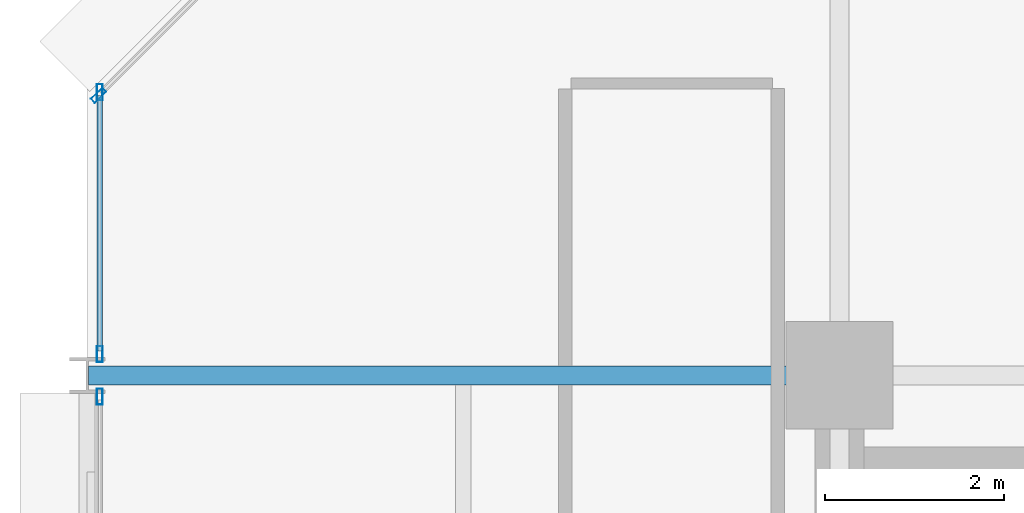
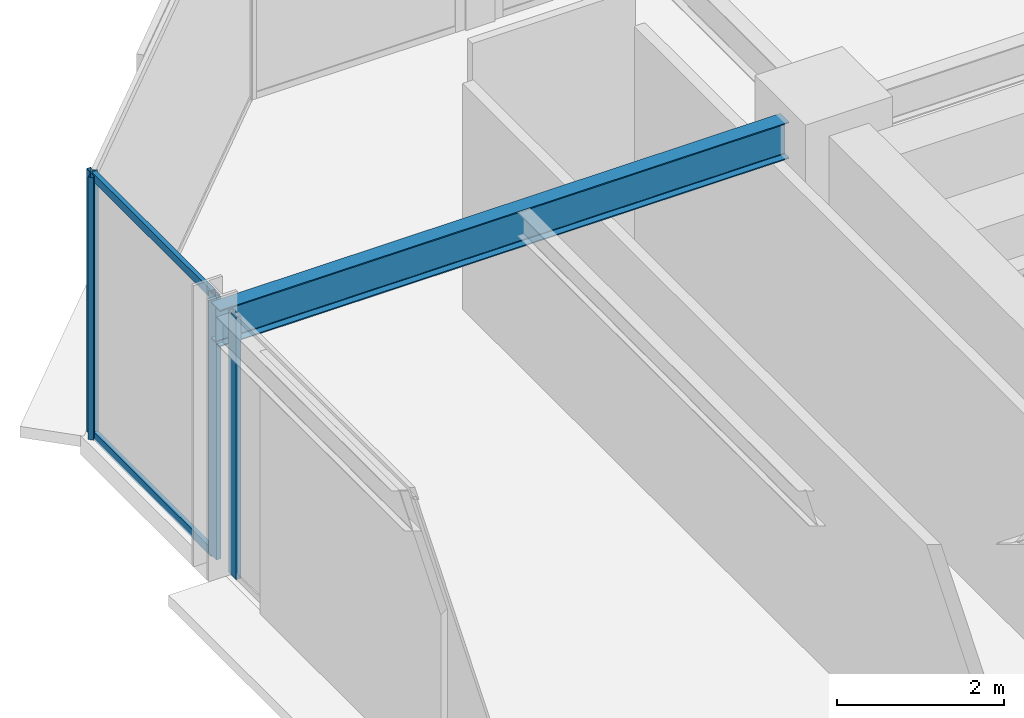
# One storey, part 25 of 39: 6 members, 1 beam, 3 elements without a shape of their own.
"""IFC4 building model written with IfcOpenShell, lengths in metres."""

from ifc_helpers import new_model, si_unit, direction, frame, origin, origin_2d, place, context, subcontext, project, spatial, hollow_rectangle, i_section, extrude, material, layer, layer_set, material_profile, profile_set, type_object, element, aggregate, save


model = new_model("IFC4")

# Units and contexts
model_context = context("Model", 3, precision=1e-05, world=origin(), true_north=direction((0.0, 1.0)))
body_context = subcontext(model_context, "Body", "Model", "MODEL_VIEW")
ifc_project = project(units=[si_unit("LENGTHUNIT", "METRE"), si_unit("AREAUNIT", "SQUARE_METRE"), si_unit("VOLUMEUNIT", "CUBIC_METRE"), si_unit("PLANEANGLEUNIT", "RADIAN"), si_unit("MASSUNIT", "GRAM", prefix="KILO")], contexts=[model_context])

# Site, building, storey
site_placement = place(None, origin())
site = spatial("IfcSite", under=ifc_project, at=site_placement, CompositionType="ELEMENT")
building_placement = place(site_placement, origin())
building = spatial("IfcBuilding", under=site, at=building_placement, Name="Nerrivon Quay Data Exchange", CompositionType="ELEMENT")
storey_placement = place(building_placement, frame((0.0, 0.0, 92.60009765625)))
storey = spatial("IfcBuildingStorey", under=building, at=storey_placement, Name="L21", CompositionType="ELEMENT", Elevation=92.60009765625)

# Beam
ifc_material_1 = material(Name="Steel Grade 350", Category="steel")
ifc_material_profile_1 = material_profile(ifc_material_1, i_section(OverallWidth=0.208984375, OverallDepth=0.532958984375, WebThickness=0.01025390625, FlangeThickness=0.015625, FilletRadius=0.013916015625, at=origin_2d()), Name="530UB92.4")
ifc_profile_set_1 = profile_set([ifc_material_profile_1], Name="Steel Grade 350")
beam_type = type_object("IfcBeamType", Name="BM-G3-530UB92", PredefinedType="BEAM", material=ifc_profile_set_1)
beam_placement = place(storey_placement, frame((0.012451171875, 42.0, 3.558349609375), z_axis=(1.0, 0.0, 0.0), x_axis=(0.0, 1.0, 0.0)))
element("IfcBeam", 1, at=beam_placement, inside=storey, type_object=beam_type, Name="L21 EW Girder Y=42.0 (0.0..8.4)", PredefinedType="BEAM", context=body_context, shape_type="SweptSolid", body=[
    extrude(i_section(OverallWidth=0.208984375, OverallDepth=0.532958984375, WebThickness=0.01025390625, FlangeThickness=0.015625, FilletRadius=0.013916015625, at=origin_2d()), origin(), (0.0, 0.0, 1.0), 7.84765625),
])

# Curtain wall, member
ifc_material_2 = material(Name="Anodised aluminium 6063-T6", Category="aluminium")
ifc_layer = layer(ifc_material_2, 0.2099609375)
ifc_layer_set = layer_set([ifc_layer], Name="Anodised aluminium 6063-T6")
curtain_wall_type = type_object("IfcCurtainWallType", Name="CW-SYS-02", PredefinedType="NOTDEFINED", material=ifc_layer_set)
curtain_wall_1_placement = place(storey_placement, origin())
curtain_wall_1 = element("IfcCurtainWall", 2, at=curtain_wall_1_placement, inside=storey, type_object=curtain_wall_type, Name="L21 Unitised Curtain Wall 21", PredefinedType="NOTDEFINED")
ifc_material_profile_2 = material_profile(ifc_material_2, hollow_rectangle(XDim=0.06494140625, YDim=0.179931640625, WallThickness=0.00341796875, at=origin_2d()), Name="ALU-MULL-180x65")
ifc_profile_set_2 = profile_set([ifc_material_profile_2], Name="Anodised aluminium 6063-T6")
member_type_1 = type_object("IfcMemberType", Name="CWM-180x65", PredefinedType="MULLION", material=ifc_profile_set_2)
member_1_placement = place(storey_placement, frame((0.139892578125, 41.762451171875, 0.0), z_axis=(0.0, 0.0, 1.0), x_axis=(-1.0, 0.0, 0.0)))
member_1 = element("IfcMember", 3, at=member_1_placement, type_object=member_type_1, Name="CW02 mullion 2", PredefinedType="MULLION", context=body_context, shape_type="SweptSolid", body=[
    extrude(hollow_rectangle(XDim=0.06494140625, YDim=0.179931640625, WallThickness=0.00341796875, at=origin_2d()), origin(), (0.0, 0.0, 1.0), 3.824951171875),
])
aggregate(curtain_wall_1, [member_1])

# Curtain wall, members
curtain_wall_2_placement = place(storey_placement, origin())
curtain_wall_2 = element("IfcCurtainWall", 4, at=curtain_wall_2_placement, inside=storey, type_object=curtain_wall_type, Name="L21 Unitised Curtain Wall 22", PredefinedType="NOTDEFINED")
member_2_placement = place(storey_placement, frame((0.139892578125, 42.237548828125, 0.0), z_axis=(0.0, 0.0, 1.0), x_axis=(-1.0, 0.0, 0.0)))
member_2 = element("IfcMember", 5, at=member_2_placement, type_object=member_type_1, Name="CW02 mullion 1", PredefinedType="MULLION", context=body_context, shape_type="SweptSolid", body=[
    extrude(hollow_rectangle(XDim=0.06494140625, YDim=0.179931640625, WallThickness=0.00341796875, at=origin_2d()), origin(), (0.0, 0.0, 1.0), 3.824951171875),
])
member_3_placement = place(storey_placement, frame((0.139892578125, 45.16259765625, 0.0), z_axis=(0.0, 0.0, 1.0), x_axis=(-1.0, 0.0, 0.0)))
member_3 = element("IfcMember", 6, at=member_3_placement, type_object=member_type_1, Name="CW02 mullion 2", PredefinedType="MULLION", context=body_context, shape_type="SweptSolid", body=[
    extrude(hollow_rectangle(XDim=0.06494140625, YDim=0.179931640625, WallThickness=0.00341796875, at=origin_2d()), origin(), (0.0, 0.0, 1.0), 3.824951171875),
])

# Curtain wall, member
curtain_wall_3_placement = place(storey_placement, origin())
curtain_wall_3 = element("IfcCurtainWall", 7, at=curtain_wall_3_placement, inside=storey, type_object=curtain_wall_type, Name="L21 Unitised Curtain Wall 23", PredefinedType="NOTDEFINED")
member_4_placement = place(storey_placement, frame((0.12548828125, 45.12744140625, 0.0), z_axis=(0.0, 0.0, 1.0), x_axis=(-0.707106781187, 0.707106781187, 0.0)))
member_4 = element("IfcMember", 8, at=member_4_placement, type_object=member_type_1, Name="CW02 mullion 1", PredefinedType="MULLION", context=body_context, shape_type="SweptSolid", body=[
    extrude(hollow_rectangle(XDim=0.06494140625, YDim=0.179931640625, WallThickness=0.00341796875, at=origin_2d()), origin(), (0.0, 0.0, 1.0), 3.824951171875),
])
aggregate(curtain_wall_3, [member_4])

# Member
ifc_material_profile_3 = material_profile(ifc_material_2, hollow_rectangle(XDim=0.06005859375, YDim=0.1201171875, WallThickness=0.003173828125, at=origin_2d()), Name="ALU-TRAN-120x60")
ifc_profile_set_3 = profile_set([ifc_material_profile_3], Name="Anodised aluminium 6063-T6")
member_type_2 = type_object("IfcMemberType", Name="CWT-120x60", PredefinedType="USERDEFINED", material=ifc_profile_set_3)
member_5_placement = place(storey_placement, frame((0.139892578125, 42.27490234375, 0.032470703125), z_axis=(0.0, 1.0, 0.0), x_axis=(-1.0, 0.0, 0.0)))
member_5 = element("IfcMember", 9, at=member_5_placement, type_object=member_type_2, Name="CW02 transom 1.1", ObjectType="TRANSOM", PredefinedType="USERDEFINED", context=body_context, shape_type="SweptSolid", body=[
    extrude(hollow_rectangle(XDim=0.06005859375, YDim=0.1201171875, WallThickness=0.003173828125, at=origin_2d()), origin(), (0.0, 0.0, 1.0), 2.85009765625),
])

member_6_placement = place(storey_placement, frame((0.139892578125, 42.27490234375, 3.79248046875), z_axis=(0.0, 1.0, 0.0), x_axis=(-1.0, 0.0, 0.0)))
member_6 = element("IfcMember", 10, at=member_6_placement, type_object=member_type_2, Name="CW02 transom 1.2", ObjectType="TRANSOM", PredefinedType="USERDEFINED", context=body_context, shape_type="SweptSolid", body=[
    extrude(hollow_rectangle(XDim=0.06005859375, YDim=0.1201171875, WallThickness=0.003173828125, at=origin_2d()), origin(), (0.0, 0.0, 1.0), 2.85009765625),
])

aggregate(curtain_wall_2, [member_2, member_3, member_5, member_6])

save(model, "model.ifc")
